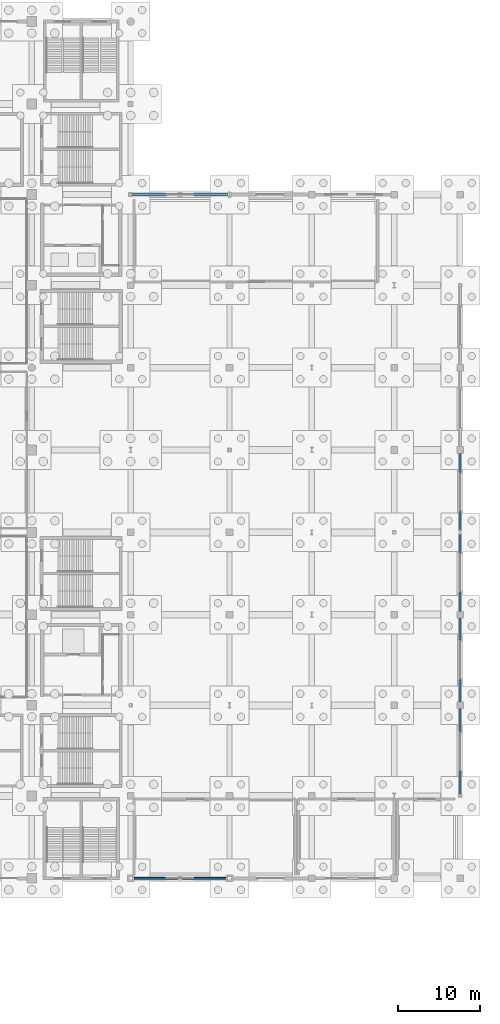
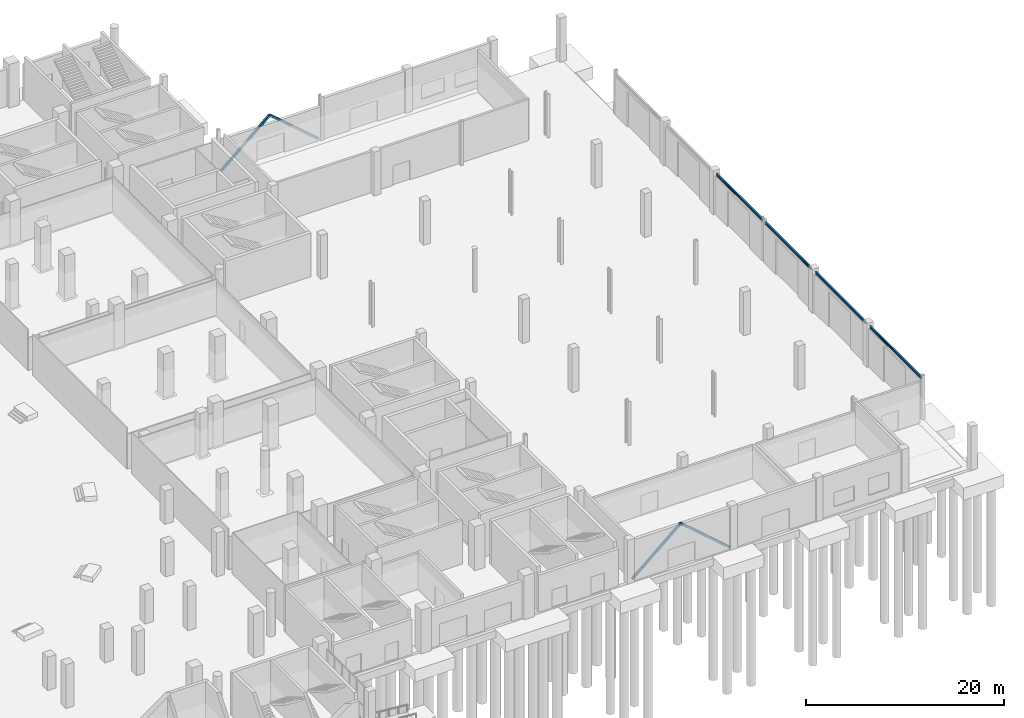
# One storey, part 37 of 70: 4 beams, 4 members.
"""IFC4 building model written with IfcOpenShell, lengths in metres."""

from ifc_helpers import new_model, si_unit, direction, frame, origin, origin_2d, place, context, subcontext, project, spatial, hollow_rectangle, i_section, extrude, material, material_profile, profile_set, type_object, element, save


model = new_model("IFC4")

# Units and contexts
model_context = context("Model", 3, precision=1e-05, world=origin(), true_north=direction((0.0, 1.0)))
body_context = subcontext(model_context, "Body", "Model", "MODEL_VIEW")
ifc_project = project(units=[si_unit("LENGTHUNIT", "METRE"), si_unit("AREAUNIT", "SQUARE_METRE"), si_unit("VOLUMEUNIT", "CUBIC_METRE"), si_unit("PLANEANGLEUNIT", "RADIAN"), si_unit("MASSUNIT", "GRAM", prefix="KILO")], contexts=[model_context])

# Site, building, storey
site_placement = place(None, origin())
site = spatial("IfcSite", under=ifc_project, at=site_placement, CompositionType="ELEMENT")
building_placement = place(site_placement, origin())
building = spatial("IfcBuilding", under=site, at=building_placement, Name="Brinegate Civic Arena", CompositionType="ELEMENT")
storey_placement = place(building_placement, origin())
storey = spatial("IfcBuildingStorey", under=building, at=storey_placement, Name="L00", CompositionType="ELEMENT", Elevation=0.0)

# Beams
ifc_material = material(Name="Steel S355", Category="steel")
ifc_material_profile_1 = material_profile(ifc_material, i_section(OverallWidth=0.1669921875, OverallDepth=0.31689453125, WebThickness=0.008056640625, FlangeThickness=0.012939453125, FilletRadius=0.012939453125, at=origin_2d()), Name="W310X52")
ifc_profile_set_1 = profile_set([ifc_material_profile_1], Name="Steel S355")
beam_type = type_object("IfcBeamType", Name="LINTEL-W310X52", PredefinedType="LINTEL", material=ifc_profile_set_1)
beam_1_placement = place(storey_placement, frame((208.0, 20.175048828125, 4.89990234375), z_axis=(0.0, 1.0, 0.0), x_axis=(-1.0, 0.0, 0.0)))
element("IfcBeam", 1, at=beam_1_placement, inside=storey, type_object=beam_type, Name="Dock Bay Canopy Lintel Header BL-DOCK-01", PredefinedType="LINTEL", context=body_context, shape_type="SweptSolid", body=[
    extrude(i_section(OverallWidth=0.1669921875, OverallDepth=0.31689453125, WebThickness=0.008056640625, FlangeThickness=0.012939453125, FilletRadius=0.012939453125, at=origin_2d()), origin(), (0.0, 0.0, 1.0), 10.425048828125),
])
beam_2_placement = place(storey_placement, frame((208.0, 31.39990234375, 4.89990234375), z_axis=(0.0, 1.0, 0.0), x_axis=(-1.0, 0.0, 0.0)))
element("IfcBeam", 2, at=beam_2_placement, inside=storey, type_object=beam_type, Name="Dock Bay Canopy Lintel Header BL-DOCK-02", PredefinedType="LINTEL", context=body_context, shape_type="SweptSolid", body=[
    extrude(i_section(OverallWidth=0.1669921875, OverallDepth=0.31689453125, WebThickness=0.008056640625, FlangeThickness=0.012939453125, FilletRadius=0.012939453125, at=origin_2d()), origin(), (0.0, 0.0, 1.0), 10.2001953125),
])
beam_3_placement = place(storey_placement, frame((208.0, 42.39990234375, 4.89990234375), z_axis=(0.0, 1.0, 0.0), x_axis=(-1.0, 0.0, 0.0)))
element("IfcBeam", 3, at=beam_3_placement, inside=storey, type_object=beam_type, Name="Dock Bay Canopy Lintel Header BL-DOCK-03", PredefinedType="LINTEL", context=body_context, shape_type="SweptSolid", body=[
    extrude(i_section(OverallWidth=0.1669921875, OverallDepth=0.31689453125, WebThickness=0.008056640625, FlangeThickness=0.012939453125, FilletRadius=0.012939453125, at=origin_2d()), origin(), (0.0, 0.0, 1.0), 9.295166015625),
])
beam_4_placement = place(storey_placement, frame((208.0, 52.305908203125, 4.89990234375), z_axis=(0.0, 1.0, 0.0), x_axis=(-1.0, 0.0, 0.0)))
element("IfcBeam", 4, at=beam_4_placement, inside=storey, type_object=beam_type, Name="Dock Bay Canopy Lintel Header BL-DOCK-04", PredefinedType="LINTEL", context=body_context, shape_type="SweptSolid", body=[
    extrude(i_section(OverallWidth=0.1669921875, OverallDepth=0.31689453125, WebThickness=0.008056640625, FlangeThickness=0.012939453125, FilletRadius=0.012939453125, at=origin_2d()), origin(), (0.0, 0.0, 1.0), 9.294189453125),
])

# Members
ifc_material_profile_2 = material_profile(ifc_material, hollow_rectangle(XDim=0.25, YDim=0.25, WallThickness=0.011962890625, InnerFilletRadius=0.011962890625, OuterFilletRadius=0.02392578125, at=origin_2d()), Name="SHS250X12")
ifc_profile_set_2 = profile_set([ifc_material_profile_2], Name="Steel S355")
member_type = type_object("IfcMemberType", Name="SF-BRACE-SHS250", PredefinedType="BRACE", material=ifc_profile_set_2)
for number, where, z_axis, x_axis, name in (
    (5, (168.320068359375, 10.0, 0.14990234375), (0.75650925612, 0.0, 0.653982985562), (0.0, 1.0, 0.0), "Lateral Chevron Brace 06-A"),
    (6, (179.679931640625, 10.0, 0.14990234375), (-0.75650925612, 0.0, 0.653982985562), (0.0, -1.0, 0.0), "Lateral Chevron Brace 06-B"),
    (7, (168.320068359375, 93.0, 0.14990234375), (0.75650925612, 0.0, 0.653982985562), (0.0, 1.0, 0.0), "Lateral Chevron Brace 07-A"),
    (8, (179.679931640625, 93.0, 0.14990234375), (-0.75650925612, 0.0, 0.653982985562), (0.0, -1.0, 0.0), "Lateral Chevron Brace 07-B"),
):
    element("IfcMember", number, at=place(storey_placement, frame(where, z_axis=z_axis, x_axis=x_axis)), inside=storey, type_object=member_type, Name=name, PredefinedType="BRACE", context=body_context, shape_type="SweptSolid", body=[
        extrude(hollow_rectangle(XDim=0.25, YDim=0.25, WallThickness=0.011962890625, InnerFilletRadius=0.011962890625, OuterFilletRadius=0.02392578125, at=origin_2d()), origin(), (0.0, 0.0, 1.0), 7.508056640625),
    ])

save(model, "model.ifc")
